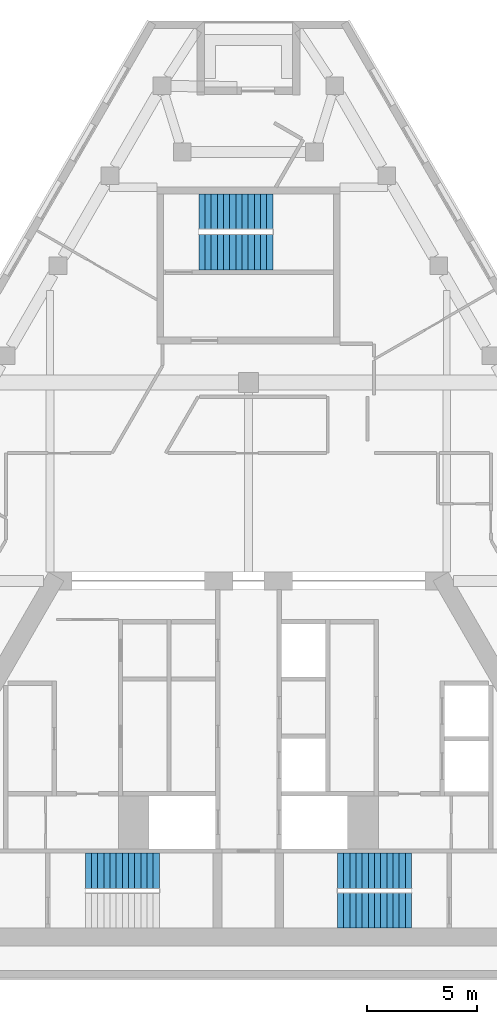
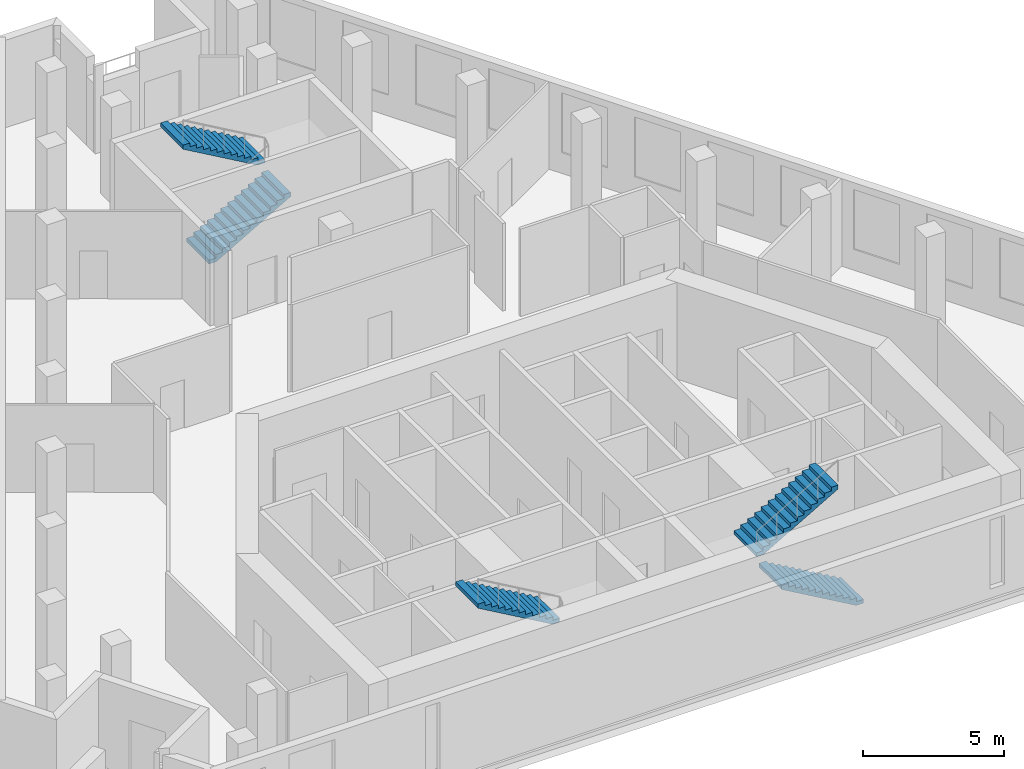
# One storey, part 7 of 8: 5 stair flights, 3 elements without a shape of their own.
"""IFC4 building model written with IfcOpenShell, lengths in metres."""

from ifc_helpers import new_model, si_unit, direction, frame, origin, place, context, subcontext, project, spatial, polyline, outline, extrude, material, type_object, element, aggregate, save


model = new_model("IFC4")

# Units and contexts
model_context = context("Model", 3, precision=1e-05, world=origin(), true_north=direction((0.0, 1.0)))
body_context = subcontext(model_context, "Body", "Model", "MODEL_VIEW")
ifc_project = project(units=[si_unit("LENGTHUNIT", "METRE"), si_unit("AREAUNIT", "SQUARE_METRE"), si_unit("VOLUMEUNIT", "CUBIC_METRE"), si_unit("PLANEANGLEUNIT", "RADIAN"), si_unit("MASSUNIT", "GRAM", prefix="KILO")], contexts=[model_context])

# Site, building, storey
site_placement = place(None, origin())
site = spatial("IfcSite", under=ifc_project, at=site_placement, CompositionType="ELEMENT")
building_placement = place(site_placement, origin())
building = spatial("IfcBuilding", under=site, at=building_placement, Name="Fogline Exchange Tower", CompositionType="ELEMENT")
storey_placement = place(building_placement, frame((0.0, 0.0, 291.89990234375)))
storey = spatial("IfcBuildingStorey", under=building, at=storey_placement, Name="L66", CompositionType="ELEMENT", Elevation=291.89990234375)

# Stair, stair flight
ifc_material = material(Name="Concrete C40", Category="concrete")
stair_type = type_object("IfcStairType", Name="STR26-1615", PredefinedType="HALF_TURN_STAIR", material=ifc_material)
stair_1_placement = place(storey_placement, origin())
stair_1 = element("IfcStair", 1, at=stair_1_placement, inside=storey, type_object=stair_type, Name="Stair ST1", PredefinedType="HALF_TURN_STAIR")
stair_flight_type = type_object("IfcStairFlightType", Name="SF13-1615", PredefinedType="STRAIGHT", material=ifc_material)
stair_flight_1_placement = place(storey_placement, frame((-4.0400390625, 4.85009765625, 2.10009765625), z_axis=(0.0, 0.0, 1.0), x_axis=(-1.0, 0.0, 0.0)))
stair_flight_1 = element("IfcStairFlight", 2, at=stair_flight_1_placement, type_object=stair_flight_type, Name="ST1 flight 2", NumberOfRisers=13, NumberOfTreads=12, PredefinedType="STRAIGHT", RiserHeight=0.161538462, TreadLength=0.28, context=body_context, shape_type="SweptSolid", body=[
    extrude(outline(polyline([(0.0, 0.0), (0.0, 0.16162109375), (0.280029296875, 0.16162109375), (0.280029296875, 0.322998046875), (0.56005859375, 0.322998046875), (0.56005859375, 0.484619140625), (0.840087890625, 0.484619140625), (0.840087890625, 0.646240234375), (1.1201171875, 0.646240234375), (1.1201171875, 0.8076171875), (1.39990234375, 0.8076171875), (1.39990234375, 0.96923828125), (1.679931640625, 0.96923828125), (1.679931640625, 1.130859375), (1.9599609375, 1.130859375), (1.9599609375, 1.292236328125), (2.239990234375, 1.292236328125), (2.239990234375, 1.453857421875), (2.52001953125, 1.453857421875), (2.52001953125, 1.615478515625), (2.800048828125, 1.615478515625), (2.800048828125, 1.77685546875), (3.080078125, 1.77685546875), (3.080078125, 1.9384765625), (3.360107421875, 1.9384765625), (3.360107421875, 2.10009765625), (3.360107421875, 1.765380859375), (0.300048828125, 0.0), (0.0, 0.0)])), frame((0.0, 0.800048828125, 0.0), z_axis=(0.0, -1.0, 0.0), x_axis=(1.0, 0.0, 0.0)), (0.0, 0.0, 1.0), 1.60009765625),
])
aggregate(stair_1, [stair_flight_1])

# Stair, stair flights
stair_2_placement = place(storey_placement, origin())
stair_2 = element("IfcStair", 3, at=stair_2_placement, inside=storey, type_object=stair_type, Name="Stair ST2", PredefinedType="HALF_TURN_STAIR")
stair_flight_2_placement = place(storey_placement, frame((7.39990234375, 3.050048828125, 0.0), z_axis=(0.0, 0.0, 1.0), x_axis=(-1.0, 0.0, 0.0)))
stair_flight_2 = element("IfcStairFlight", 4, at=stair_flight_2_placement, type_object=stair_flight_type, Name="ST2 flight 1", NumberOfRisers=13, NumberOfTreads=12, PredefinedType="STRAIGHT", RiserHeight=0.161538462, TreadLength=0.28, context=body_context, shape_type="SweptSolid", body=[
    extrude(outline(polyline([(0.0, 0.0), (0.0, 0.16162109375), (0.280029296875, 0.16162109375), (0.280029296875, 0.322998046875), (0.56005859375, 0.322998046875), (0.56005859375, 0.484619140625), (0.840087890625, 0.484619140625), (0.840087890625, 0.646240234375), (1.1201171875, 0.646240234375), (1.1201171875, 0.8076171875), (1.39990234375, 0.8076171875), (1.39990234375, 0.96923828125), (1.679931640625, 0.96923828125), (1.679931640625, 1.130859375), (1.9599609375, 1.130859375), (1.9599609375, 1.292236328125), (2.239990234375, 1.292236328125), (2.239990234375, 1.453857421875), (2.52001953125, 1.453857421875), (2.52001953125, 1.615478515625), (2.800048828125, 1.615478515625), (2.800048828125, 1.77685546875), (3.080078125, 1.77685546875), (3.080078125, 1.9384765625), (3.360107421875, 1.9384765625), (3.360107421875, 2.10009765625), (3.360107421875, 1.765380859375), (0.300048828125, 0.0), (0.0, 0.0)])), frame((0.0, 0.800048828125, 0.0), z_axis=(0.0, -1.0, 0.0), x_axis=(1.0, 0.0, 0.0)), (0.0, 0.0, 1.0), 1.60009765625),
])
stair_flight_3_placement = place(storey_placement, frame((4.0400390625, 4.85009765625, 2.10009765625), z_axis=(0.0, 0.0, 1.0), x_axis=(1.0, 0.0, 0.0)))
stair_flight_3 = element("IfcStairFlight", 5, at=stair_flight_3_placement, type_object=stair_flight_type, Name="ST2 flight 2", NumberOfRisers=13, NumberOfTreads=12, PredefinedType="STRAIGHT", RiserHeight=0.161538462, TreadLength=0.28, context=body_context, shape_type="SweptSolid", body=[
    extrude(outline(polyline([(0.0, 0.0), (0.0, 0.16162109375), (0.280029296875, 0.16162109375), (0.280029296875, 0.322998046875), (0.56005859375, 0.322998046875), (0.56005859375, 0.484619140625), (0.840087890625, 0.484619140625), (0.840087890625, 0.646240234375), (1.1201171875, 0.646240234375), (1.1201171875, 0.8076171875), (1.39990234375, 0.8076171875), (1.39990234375, 0.96923828125), (1.679931640625, 0.96923828125), (1.679931640625, 1.130859375), (1.9599609375, 1.130859375), (1.9599609375, 1.292236328125), (2.239990234375, 1.292236328125), (2.239990234375, 1.453857421875), (2.52001953125, 1.453857421875), (2.52001953125, 1.615478515625), (2.800048828125, 1.615478515625), (2.800048828125, 1.77685546875), (3.080078125, 1.77685546875), (3.080078125, 1.9384765625), (3.360107421875, 1.9384765625), (3.360107421875, 2.10009765625), (3.360107421875, 1.765380859375), (0.300048828125, 0.0), (0.0, 0.0)])), frame((0.0, 0.800048828125, 0.0), z_axis=(0.0, -1.0, 0.0), x_axis=(1.0, 0.0, 0.0)), (0.0, 0.0, 1.0), 1.60009765625),
])
aggregate(stair_2, [stair_flight_2, stair_flight_3])

stair_3_placement = place(storey_placement, origin())
stair_3 = element("IfcStair", 6, at=stair_3_placement, inside=storey, type_object=stair_type, Name="Stair ST3", PredefinedType="HALF_TURN_STAIR")
stair_flight_4_placement = place(storey_placement, frame((-2.25, 32.906982421875, 0.0), z_axis=(0.0, 0.0, 1.0), x_axis=(1.0, 0.0, 0.0)))
stair_flight_4 = element("IfcStairFlight", 7, at=stair_flight_4_placement, type_object=stair_flight_type, Name="ST3 flight 1", NumberOfRisers=13, NumberOfTreads=12, PredefinedType="STRAIGHT", RiserHeight=0.161538462, TreadLength=0.28, context=body_context, shape_type="SweptSolid", body=[
    extrude(outline(polyline([(0.0, 0.0), (0.0, 0.16162109375), (0.280029296875, 0.16162109375), (0.280029296875, 0.322998046875), (0.56005859375, 0.322998046875), (0.56005859375, 0.484619140625), (0.840087890625, 0.484619140625), (0.840087890625, 0.646240234375), (1.1201171875, 0.646240234375), (1.1201171875, 0.8076171875), (1.39990234375, 0.8076171875), (1.39990234375, 0.96923828125), (1.679931640625, 0.96923828125), (1.679931640625, 1.130859375), (1.9599609375, 1.130859375), (1.9599609375, 1.292236328125), (2.239990234375, 1.292236328125), (2.239990234375, 1.453857421875), (2.52001953125, 1.453857421875), (2.52001953125, 1.615478515625), (2.800048828125, 1.615478515625), (2.800048828125, 1.77685546875), (3.080078125, 1.77685546875), (3.080078125, 1.9384765625), (3.360107421875, 1.9384765625), (3.360107421875, 2.10009765625), (3.360107421875, 1.765380859375), (0.300048828125, 0.0), (0.0, 0.0)])), frame((0.0, 0.800048828125, 0.0), z_axis=(0.0, -1.0, 0.0), x_axis=(1.0, 0.0, 0.0)), (0.0, 0.0, 1.0), 1.60009765625),
])
stair_flight_5_placement = place(storey_placement, frame((1.110107421875, 34.757080078125, 2.10009765625), z_axis=(0.0, 0.0, 1.0), x_axis=(-1.0, 0.0, 0.0)))
stair_flight_5 = element("IfcStairFlight", 8, at=stair_flight_5_placement, type_object=stair_flight_type, Name="ST3 flight 2", NumberOfRisers=13, NumberOfTreads=12, PredefinedType="STRAIGHT", RiserHeight=0.161538462, TreadLength=0.28, context=body_context, shape_type="SweptSolid", body=[
    extrude(outline(polyline([(0.0, 0.0), (0.0, 0.16162109375), (0.280029296875, 0.16162109375), (0.280029296875, 0.322998046875), (0.56005859375, 0.322998046875), (0.56005859375, 0.484619140625), (0.840087890625, 0.484619140625), (0.840087890625, 0.646240234375), (1.1201171875, 0.646240234375), (1.1201171875, 0.8076171875), (1.39990234375, 0.8076171875), (1.39990234375, 0.96923828125), (1.679931640625, 0.96923828125), (1.679931640625, 1.130859375), (1.9599609375, 1.130859375), (1.9599609375, 1.292236328125), (2.239990234375, 1.292236328125), (2.239990234375, 1.453857421875), (2.52001953125, 1.453857421875), (2.52001953125, 1.615478515625), (2.800048828125, 1.615478515625), (2.800048828125, 1.77685546875), (3.080078125, 1.77685546875), (3.080078125, 1.9384765625), (3.360107421875, 1.9384765625), (3.360107421875, 2.10009765625), (3.360107421875, 1.765380859375), (0.300048828125, 0.0), (0.0, 0.0)])), frame((0.0, 0.800048828125, 0.0), z_axis=(0.0, -1.0, 0.0), x_axis=(1.0, 0.0, 0.0)), (0.0, 0.0, 1.0), 1.60009765625),
])
aggregate(stair_3, [stair_flight_4, stair_flight_5])

save(model, "model.ifc")
